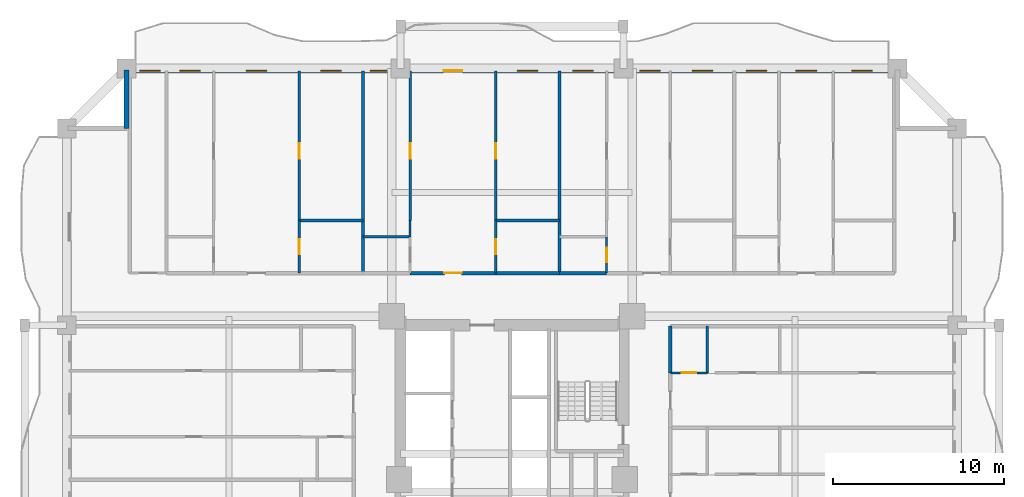
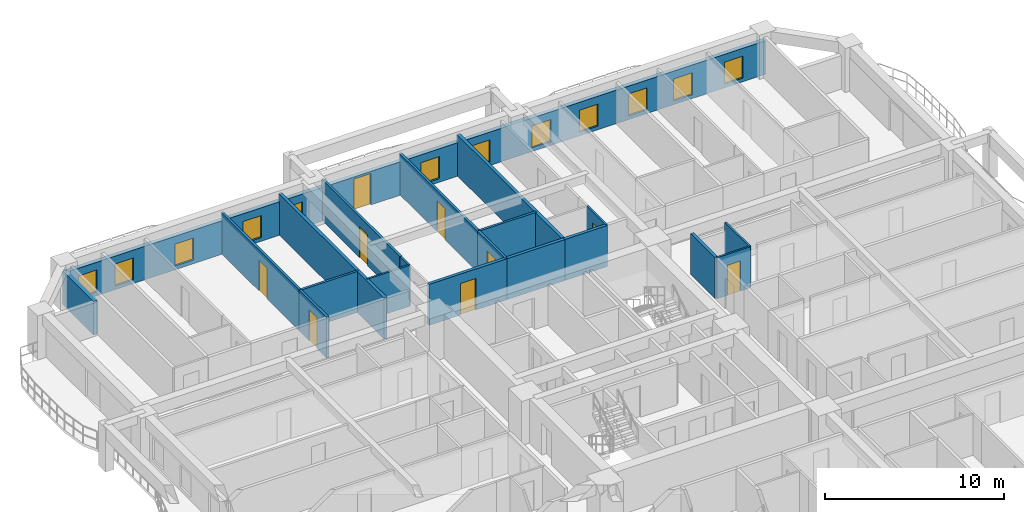
# One storey, part 7 of 18: 20 walls, 12 windows, 9 doors, 21 openings.
"""IFC4 building model written with IfcOpenShell, lengths in metres."""

from ifc_helpers import new_model, si_unit, direction, frame, frame_2d, origin, place, context, subcontext, project, spatial, rectangle, extrude, source, transform, mapped, material, layer, layer_set, type_object, element, fill, save


model = new_model("IFC4")

# Units and contexts
model_context = context("Model", 3, precision=1e-05, world=origin(), true_north=direction((0.0, 1.0)))
body_context = subcontext(model_context, "Body", "Model", "MODEL_VIEW")
ifc_project = project(units=[si_unit("LENGTHUNIT", "METRE"), si_unit("AREAUNIT", "SQUARE_METRE"), si_unit("VOLUMEUNIT", "CUBIC_METRE"), si_unit("PLANEANGLEUNIT", "RADIAN"), si_unit("MASSUNIT", "GRAM", prefix="KILO")], contexts=[model_context])

# Site, building, storey
site_placement = place(None, origin())
site = spatial("IfcSite", under=ifc_project, at=site_placement, CompositionType="ELEMENT")
building_placement = place(site_placement, origin())
building = spatial("IfcBuilding", under=site, at=building_placement, Name="Saelheon Loggia Tower", CompositionType="ELEMENT")
storey_placement = place(building_placement, frame((0.0, 0.0, 40.39990234375)))
storey = spatial("IfcBuildingStorey", under=building, at=storey_placement, Name="L12", CompositionType="ELEMENT", Elevation=40.39990234375)

# Wall, openings, windows, door
ifc_material_1 = material(Name="Architectural Precast Concrete C40/50", Category="concrete")
ifc_layer_1 = layer(ifc_material_1, 0.280029296875)
ifc_layer_set_1 = layer_set([ifc_layer_1], Name="Architectural Precast Concrete C40/50")
wall_type_1 = type_object("IfcWallType", Name="Wall_Ext_Loggia_280", PredefinedType="SOLIDWALL", material=ifc_layer_set_1)
wall_1_placement = place(storey_placement, frame((15.5, 50.860107421875, 0.0), z_axis=(0.0, 0.0, 1.0), x_axis=(1.0, 0.0, 0.0)))
wall_1 = element("IfcWall", 1, at=wall_1_placement, inside=storey, type_object=wall_type_1, Name="L12 North Loggia Inner Wall", PredefinedType="SOLIDWALL", context=body_context, shape_type="SweptSolid", body=[
    extrude(rectangle(XDim=45.0, YDim=0.280029296875, at=frame_2d((22.5, 0.0))), origin(), (0.0, 0.0, 1.0), 2.280029296875),
])
opening_1_placement = place(wall_1_placement, frame((0.760009765625, 0.0, 0.25)))
opening_1 = element("IfcOpeningElement", 2, at=opening_1_placement, cuts=wall_1, Name="Opening WN-03", PredefinedType="OPENING", context=body_context, shape_type="SweptSolid", body=[
    extrude(rectangle(XDim=1.199951171875, YDim=1.5, at=frame_2d((0.60009765625, 0.75))), frame((0.0, 0.152099609375, 0.0), z_axis=(0.0, -1.0, 0.0), x_axis=(1.0, 0.0, 0.0)), (0.0, 0.0, 1.0), 0.303955078125),
])
opening_2_placement = place(wall_1_placement, frame((3.10498046875, 0.0, 0.25)))
opening_2 = element("IfcOpeningElement", 3, at=opening_2_placement, cuts=wall_1, Name="Opening WN-03", PredefinedType="OPENING", context=body_context, shape_type="SweptSolid", body=[
    extrude(rectangle(XDim=1.199951171875, YDim=1.5, at=frame_2d((0.60009765625, 0.75))), frame((0.0, 0.152099609375, 0.0), z_axis=(0.0, -1.0, 0.0), x_axis=(1.0, 0.0, 0.0)), (0.0, 0.0, 1.0), 0.303955078125),
])
opening_3_placement = place(wall_1_placement, frame((6.979736328125, 0.0, 0.25)))
opening_3 = element("IfcOpeningElement", 4, at=opening_3_placement, cuts=wall_1, Name="Opening WN-03", PredefinedType="OPENING", context=body_context, shape_type="SweptSolid", body=[
    extrude(rectangle(XDim=1.199951171875, YDim=1.5, at=frame_2d((0.60009765625, 0.75))), frame((0.0, 0.152099609375, 0.0), z_axis=(0.0, -1.0, 0.0), x_axis=(1.0, 0.0, 0.0)), (0.0, 0.0, 1.0), 0.303955078125),
])
opening_4_placement = place(wall_1_placement, frame((11.3408203125, 0.0, 0.25)))
opening_4 = element("IfcOpeningElement", 5, at=opening_4_placement, cuts=wall_1, Name="Opening WN-03", PredefinedType="OPENING", context=body_context, shape_type="SweptSolid", body=[
    extrude(rectangle(XDim=1.199951171875, YDim=1.5, at=frame_2d((0.60009765625, 0.75))), frame((0.0, 0.152099609375, 0.0), z_axis=(0.0, -1.0, 0.0), x_axis=(1.0, 0.0, 0.0)), (0.0, 0.0, 1.0), 0.303955078125),
])
opening_5_placement = place(wall_1_placement, frame((14.231201171875, 0.0, 0.25)))
opening_5 = element("IfcOpeningElement", 6, at=opening_5_placement, cuts=wall_1, Name="Opening WN-04", PredefinedType="OPENING", context=body_context, shape_type="SweptSolid", body=[
    extrude(rectangle(XDim=0.949951171875, YDim=1.5, at=frame_2d((0.47509765625, 0.75))), frame((0.0, 0.152099609375, 0.0), z_axis=(0.0, -1.0, 0.0), x_axis=(1.0, 0.0, 0.0)), (0.0, 0.0, 1.0), 0.303955078125),
])
opening_6_placement = place(wall_1_placement, frame((18.502197265625, 0.0, 0.0)))
opening_6 = element("IfcOpeningElement", 7, at=opening_6_placement, cuts=wall_1, Name="Opening TD1", PredefinedType="OPENING", context=body_context, shape_type="SweptSolid", body=[
    extrude(rectangle(XDim=1.10009765625, YDim=2.14990234375, at=frame_2d((0.550048828125, 1.074951171875))), frame((0.0, 0.152099609375, 0.0), z_axis=(0.0, -1.0, 0.0), x_axis=(1.0, 0.0, 0.0)), (0.0, 0.0, 1.0), 0.303955078125),
])
opening_7_placement = place(wall_1_placement, frame((22.813232421875, 0.0, 0.25)))
opening_7 = element("IfcOpeningElement", 8, at=opening_7_placement, cuts=wall_1, Name="Opening WN-03", PredefinedType="OPENING", context=body_context, shape_type="SweptSolid", body=[
    extrude(rectangle(XDim=1.199951171875, YDim=1.5, at=frame_2d((0.60009765625, 0.75))), frame((0.0, 0.152099609375, 0.0), z_axis=(0.0, -1.0, 0.0), x_axis=(1.0, 0.0, 0.0)), (0.0, 0.0, 1.0), 0.303955078125),
])
opening_8_placement = place(wall_1_placement, frame((26.049560546875, 0.0, 0.25)))
opening_8 = element("IfcOpeningElement", 9, at=opening_8_placement, cuts=wall_1, Name="Opening WN-03", PredefinedType="OPENING", context=body_context, shape_type="SweptSolid", body=[
    extrude(rectangle(XDim=1.199951171875, YDim=1.5, at=frame_2d((0.60009765625, 0.75))), frame((0.0, 0.152099609375, 0.0), z_axis=(0.0, -1.0, 0.0), x_axis=(1.0, 0.0, 0.0)), (0.0, 0.0, 1.0), 0.303955078125),
])
opening_9_placement = place(wall_1_placement, frame((29.9697265625, 0.0, 0.25)))
opening_9 = element("IfcOpeningElement", 10, at=opening_9_placement, cuts=wall_1, Name="Opening WN-03", PredefinedType="OPENING", context=body_context, shape_type="SweptSolid", body=[
    extrude(rectangle(XDim=1.199951171875, YDim=1.5, at=frame_2d((0.60009765625, 0.75))), frame((0.0, 0.152099609375, 0.0), z_axis=(0.0, -1.0, 0.0), x_axis=(1.0, 0.0, 0.0)), (0.0, 0.0, 1.0), 0.303955078125),
])
opening_10_placement = place(wall_1_placement, frame((33.0107421875, 0.0, 0.25)))
opening_10 = element("IfcOpeningElement", 11, at=opening_10_placement, cuts=wall_1, Name="Opening WN-03", PredefinedType="OPENING", context=body_context, shape_type="SweptSolid", body=[
    extrude(rectangle(XDim=1.199951171875, YDim=1.5, at=frame_2d((0.60009765625, 0.75))), frame((0.0, 0.152099609375, 0.0), z_axis=(0.0, -1.0, 0.0), x_axis=(1.0, 0.0, 0.0)), (0.0, 0.0, 1.0), 0.303955078125),
])
opening_11_placement = place(wall_1_placement, frame((36.180908203125, 0.0, 0.25)))
opening_11 = element("IfcOpeningElement", 12, at=opening_11_placement, cuts=wall_1, Name="Opening WN-03", PredefinedType="OPENING", context=body_context, shape_type="SweptSolid", body=[
    extrude(rectangle(XDim=1.199951171875, YDim=1.5, at=frame_2d((0.60009765625, 0.75))), frame((0.0, 0.152099609375, 0.0), z_axis=(0.0, -1.0, 0.0), x_axis=(1.0, 0.0, 0.0)), (0.0, 0.0, 1.0), 0.303955078125),
])
opening_12_placement = place(wall_1_placement, frame((39.07861328125, 0.0, 0.25)))
opening_12 = element("IfcOpeningElement", 13, at=opening_12_placement, cuts=wall_1, Name="Opening WN-03", PredefinedType="OPENING", context=body_context, shape_type="SweptSolid", body=[
    extrude(rectangle(XDim=1.199951171875, YDim=1.5, at=frame_2d((0.60009765625, 0.75))), frame((0.0, 0.152099609375, 0.0), z_axis=(0.0, -1.0, 0.0), x_axis=(1.0, 0.0, 0.0)), (0.0, 0.0, 1.0), 0.303955078125),
])
opening_13_placement = place(wall_1_placement, frame((42.3388671875, 0.0, 0.25)))
opening_13 = element("IfcOpeningElement", 14, at=opening_13_placement, cuts=wall_1, Name="Opening WN-03", PredefinedType="OPENING", context=body_context, shape_type="SweptSolid", body=[
    extrude(rectangle(XDim=1.199951171875, YDim=1.5, at=frame_2d((0.60009765625, 0.75))), frame((0.0, 0.152099609375, 0.0), z_axis=(0.0, -1.0, 0.0), x_axis=(1.0, 0.0, 0.0)), (0.0, 0.0, 1.0), 0.303955078125),
])
ifc_material_2 = material(Name="Thermal-Break Aluminium and Triple Low-E Glass", Category="aluminium")
window_type_1 = type_object("IfcWindowType", Name="Win_Bedroom_1200x1500", PartitioningType="SINGLE_PANEL", PredefinedType="WINDOW", material=ifc_material_2)
shared_shape_1 = source(origin(), body_context, "Body", "SweptSolid", [
    extrude(rectangle(XDim=1.199951171875, YDim=1.5, at=frame_2d((0.60009765625, 0.75))), frame((0.0, 0.030029296875, 0.0), z_axis=(0.0, -1.0, 0.0), x_axis=(1.0, 0.0, 0.0)), (0.0, 0.0, 1.0), 0.06005859375),
])
window_1_placement = place(opening_1_placement, origin())
window_1 = element("IfcWindow", 15, at=window_1_placement, inside=storey, type_object=window_type_1, Name="L12 N Dwelling Window 1", OverallHeight=1.5, OverallWidth=1.199951171875, PartitioningType="SINGLE_PANEL", PredefinedType="WINDOW", context=body_context, shape_type="MappedRepresentation", body=[
    mapped(shared_shape_1, transform((0.0, 0.0, 0.0), scale=1.0)),
])
fill(opening_1, window_1)
window_2_placement = place(opening_2_placement, origin())
window_2 = element("IfcWindow", 16, at=window_2_placement, inside=storey, type_object=window_type_1, Name="L12 N Dwelling Window 2", OverallHeight=1.5, OverallWidth=1.199951171875, PartitioningType="SINGLE_PANEL", PredefinedType="WINDOW", context=body_context, shape_type="MappedRepresentation", body=[
    mapped(shared_shape_1, transform((0.0, 0.0, 0.0), scale=1.0)),
])
fill(opening_2, window_2)
window_3_placement = place(opening_3_placement, origin())
window_3 = element("IfcWindow", 17, at=window_3_placement, inside=storey, type_object=window_type_1, Name="L12 N Dwelling Window 3", OverallHeight=1.5, OverallWidth=1.199951171875, PartitioningType="SINGLE_PANEL", PredefinedType="WINDOW", context=body_context, shape_type="MappedRepresentation", body=[
    mapped(shared_shape_1, transform((0.0, 0.0, 0.0), scale=1.0)),
])
fill(opening_3, window_3)
window_4_placement = place(opening_4_placement, origin())
window_4 = element("IfcWindow", 18, at=window_4_placement, inside=storey, type_object=window_type_1, Name="L12 N Dwelling Window 4", OverallHeight=1.5, OverallWidth=1.199951171875, PartitioningType="SINGLE_PANEL", PredefinedType="WINDOW", context=body_context, shape_type="MappedRepresentation", body=[
    mapped(shared_shape_1, transform((0.0, 0.0, 0.0), scale=1.0)),
])
fill(opening_4, window_4)
window_5_placement = place(opening_7_placement, origin())
window_5 = element("IfcWindow", 19, at=window_5_placement, inside=storey, type_object=window_type_1, Name="L12 N Dwelling Window 7", OverallHeight=1.5, OverallWidth=1.199951171875, PartitioningType="SINGLE_PANEL", PredefinedType="WINDOW", context=body_context, shape_type="MappedRepresentation", body=[
    mapped(shared_shape_1, transform((0.0, 0.0, 0.0), scale=1.0)),
])
fill(opening_7, window_5)
window_6_placement = place(opening_8_placement, origin())
window_6 = element("IfcWindow", 20, at=window_6_placement, inside=storey, type_object=window_type_1, Name="L12 N Dwelling Window 8", OverallHeight=1.5, OverallWidth=1.199951171875, PartitioningType="SINGLE_PANEL", PredefinedType="WINDOW", context=body_context, shape_type="MappedRepresentation", body=[
    mapped(shared_shape_1, transform((0.0, 0.0, 0.0), scale=1.0)),
])
fill(opening_8, window_6)
window_7_placement = place(opening_9_placement, origin())
window_7 = element("IfcWindow", 21, at=window_7_placement, inside=storey, type_object=window_type_1, Name="L12 N Dwelling Window 9", OverallHeight=1.5, OverallWidth=1.199951171875, PartitioningType="SINGLE_PANEL", PredefinedType="WINDOW", context=body_context, shape_type="MappedRepresentation", body=[
    mapped(shared_shape_1, transform((0.0, 0.0, 0.0), scale=1.0)),
])
fill(opening_9, window_7)
window_8_placement = place(opening_10_placement, origin())
window_8 = element("IfcWindow", 22, at=window_8_placement, inside=storey, type_object=window_type_1, Name="L12 N Dwelling Window 10", OverallHeight=1.5, OverallWidth=1.199951171875, PartitioningType="SINGLE_PANEL", PredefinedType="WINDOW", context=body_context, shape_type="MappedRepresentation", body=[
    mapped(shared_shape_1, transform((0.0, 0.0, 0.0), scale=1.0)),
])
fill(opening_10, window_8)
window_9_placement = place(opening_11_placement, origin())
window_9 = element("IfcWindow", 23, at=window_9_placement, inside=storey, type_object=window_type_1, Name="L12 N Dwelling Window 11", OverallHeight=1.5, OverallWidth=1.199951171875, PartitioningType="SINGLE_PANEL", PredefinedType="WINDOW", context=body_context, shape_type="MappedRepresentation", body=[
    mapped(shared_shape_1, transform((0.0, 0.0, 0.0), scale=1.0)),
])
fill(opening_11, window_9)
window_10_placement = place(opening_12_placement, origin())
window_10 = element("IfcWindow", 24, at=window_10_placement, inside=storey, type_object=window_type_1, Name="L12 N Dwelling Window 12", OverallHeight=1.5, OverallWidth=1.199951171875, PartitioningType="SINGLE_PANEL", PredefinedType="WINDOW", context=body_context, shape_type="MappedRepresentation", body=[
    mapped(shared_shape_1, transform((0.0, 0.0, 0.0), scale=1.0)),
])
fill(opening_12, window_10)
window_11_placement = place(opening_13_placement, origin())
window_11 = element("IfcWindow", 25, at=window_11_placement, inside=storey, type_object=window_type_1, Name="L12 N Dwelling Window 13", OverallHeight=1.5, OverallWidth=1.199951171875, PartitioningType="SINGLE_PANEL", PredefinedType="WINDOW", context=body_context, shape_type="MappedRepresentation", body=[
    mapped(shared_shape_1, transform((0.0, 0.0, 0.0), scale=1.0)),
])
fill(opening_13, window_11)
ifc_material_3 = material(Name="Thermal-Break Aluminium Glazed Door", Category="aluminium")
door_type_1 = type_object("IfcDoorType", Name="Door_Terrace_TD1", OperationType="NOTDEFINED", PredefinedType="DOOR", material=ifc_material_3)
shared_shape_2 = source(origin(), body_context, "Body", "SweptSolid", [
    extrude(rectangle(XDim=1.10009765625, YDim=2.14990234375, at=frame_2d((0.550048828125, 1.074951171875))), frame((0.0, 0.02490234375, 0.0), z_axis=(0.0, -1.0, 0.0), x_axis=(1.0, 0.0, 0.0)), (0.0, 0.0, 1.0), 0.050048828125),
])
door_1_placement = place(opening_6_placement, origin())
door_1 = element("IfcDoor", 26, at=door_1_placement, inside=storey, type_object=door_type_1, Name="L12 N Loggia Access Door", OperationType="SINGLE_SWING_RIGHT", OverallHeight=2.14990234375, OverallWidth=1.10009765625, PredefinedType="DOOR", context=body_context, shape_type="MappedRepresentation", body=[
    mapped(shared_shape_2, transform((0.0, 0.0, 0.0), scale=1.0)),
])
fill(opening_6, door_1)
window_type_2 = type_object("IfcWindowType", Name="Win_Narrow_950x1500", PartitioningType="SINGLE_PANEL", PredefinedType="WINDOW", material=ifc_material_2)
shared_shape_3 = source(origin(), body_context, "Body", "SweptSolid", [
    extrude(rectangle(XDim=0.949951171875, YDim=1.5, at=frame_2d((0.47509765625, 0.75))), frame((0.0, 0.030029296875, 0.0), z_axis=(0.0, -1.0, 0.0), x_axis=(1.0, 0.0, 0.0)), (0.0, 0.0, 1.0), 0.06005859375),
])
window_12_placement = place(opening_5_placement, origin())
window_12 = element("IfcWindow", 27, at=window_12_placement, inside=storey, type_object=window_type_2, Name="L12 N Dwelling Window 5", OverallHeight=1.5, OverallWidth=0.949951171875, PartitioningType="SINGLE_PANEL", PredefinedType="WINDOW", context=body_context, shape_type="MappedRepresentation", body=[
    mapped(shared_shape_3, transform((0.0, 0.0, 0.0), scale=1.0)),
])
fill(opening_5, window_12)

# Walls
wall_2_placement = place(storey_placement, frame((15.5, 47.5, 0.0), z_axis=(0.0, 0.0, 1.0), x_axis=(0.0, 1.0, 0.0)))
element("IfcWall", 28, at=wall_2_placement, inside=storey, type_object=wall_type_1, Name="L12 Corner Notch Precast Wall NW1", PredefinedType="SOLIDWALL", context=body_context, shape_type="SweptSolid", body=[
    extrude(rectangle(XDim=3.419921875, YDim=0.280029296875, at=frame_2d((1.7099609375, 0.0))), origin(), (0.0, 0.0, 1.0), 2.280029296875),
])
ifc_material_4 = material(Name="Lightweight Autoclaved Aerated Concrete Block and Acoustic Gypsum", Category="concrete")
ifc_layer_2 = layer(ifc_material_4, 0.14990234375)
ifc_layer_set_2 = layer_set([ifc_layer_2], Name="Lightweight Autoclaved Aerated Concrete Block and Acoustic Gypsum")
wall_type_2 = type_object("IfcWallType", Name="Wall_Part_150", PredefinedType="PARTITIONING", material=ifc_layer_set_2)
wall_3_placement = place(storey_placement, frame((25.57958984375, 42.1201171875, 0.0), z_axis=(0.0, 0.0, 1.0), x_axis=(1.0, 0.0, 0.0)))
element("IfcWall", 29, at=wall_3_placement, inside=storey, type_object=wall_type_2, Name="L12 N Partition V09", PredefinedType="PARTITIONING", context=body_context, shape_type="SweptSolid", body=[
    extrude(rectangle(XDim=3.72265625, YDim=0.14990234375, at=frame_2d((1.861328125, 0.0))), origin(), (0.0, 0.0, 1.0), 2.7900390625),
])

# Wall, opening, door
wall_4_placement = place(storey_placement, frame((25.57958984375, 39.050048828125, 0.0), z_axis=(0.0, 0.0, 1.0), x_axis=(0.0, 1.0, 0.0)))
wall_4 = element("IfcWall", 30, at=wall_4_placement, inside=storey, type_object=wall_type_2, Name="L12 N Partition U13", PredefinedType="PARTITIONING", context=body_context, shape_type="SweptSolid", body=[
    extrude(rectangle(XDim=3.070068359375, YDim=0.14990234375, at=frame_2d((1.53515625, 0.0))), origin(), (0.0, 0.0, 1.0), 2.7900390625),
])
opening_14_placement = place(wall_4_placement, frame((1.0849609375, 0.0, 0.0)))
opening_14 = element("IfcOpeningElement", 31, at=opening_14_placement, cuts=wall_4, Name="Opening D-IN2", PredefinedType="OPENING", context=body_context, shape_type="SweptSolid", body=[
    extrude(rectangle(XDim=0.89990234375, YDim=2.10009765625, at=frame_2d((0.449951171875, 1.050048828125))), frame((0.0, 0.0869140625, 0.0), z_axis=(0.0, -1.0, 0.0), x_axis=(1.0, 0.0, 0.0)), (0.0, 0.0, 1.0), 0.173828125),
])
ifc_material_5 = material(Name="Engineered Oak Flush Door", Category="timber")
door_type_2 = type_object("IfcDoorType", Name="Door_Int_900", OperationType="NOTDEFINED", PredefinedType="DOOR", material=ifc_material_5)
shared_shape_4 = source(origin(), body_context, "Body", "SweptSolid", [
    extrude(rectangle(XDim=0.89990234375, YDim=2.10009765625, at=frame_2d((0.449951171875, 1.050048828125))), frame((0.0, 0.02490234375, 0.0), z_axis=(0.0, -1.0, 0.0), x_axis=(1.0, 0.0, 0.0)), (0.0, 0.0, 1.0), 0.050048828125),
])
door_2_placement = place(opening_14_placement, origin())
door_2 = element("IfcDoor", 32, at=door_2_placement, inside=storey, type_object=door_type_2, Name="Unit U05 Dressing Closet Door", OperationType="SINGLE_SWING_LEFT", OverallHeight=2.10009765625, OverallWidth=0.89990234375, PredefinedType="DOOR", context=body_context, shape_type="MappedRepresentation", body=[
    mapped(shared_shape_4, transform((0.0, 0.0, 0.0), scale=1.0)),
])
fill(opening_14, door_2)

wall_5_placement = place(storey_placement, frame((25.57958984375, 42.1201171875, 0.0), z_axis=(0.0, 0.0, 1.0), x_axis=(0.0, 1.0, 0.0)))
wall_5 = element("IfcWall", 33, at=wall_5_placement, inside=storey, type_object=wall_type_2, Name="L12 N Partition U14", PredefinedType="PARTITIONING", context=body_context, shape_type="SweptSolid", body=[
    extrude(rectangle(XDim=8.72998046875, YDim=0.14990234375, at=frame_2d((4.364990234375, 0.0))), origin(), (0.0, 0.0, 1.0), 2.7900390625),
])
opening_15_placement = place(wall_5_placement, frame((3.60888671875, 0.0, 0.0)))
opening_15 = element("IfcOpeningElement", 34, at=opening_15_placement, cuts=wall_5, Name="Opening D-IN2", PredefinedType="OPENING", context=body_context, shape_type="SweptSolid", body=[
    extrude(rectangle(XDim=0.89990234375, YDim=2.10009765625, at=frame_2d((0.449951171875, 1.050048828125))), frame((0.0, 0.0869140625, 0.0), z_axis=(0.0, -1.0, 0.0), x_axis=(1.0, 0.0, 0.0)), (0.0, 0.0, 1.0), 0.173828125),
])
door_3_placement = place(opening_15_placement, origin())
door_3 = element("IfcDoor", 35, at=door_3_placement, inside=storey, type_object=door_type_2, Name="Unit U05 Bedroom 1 Door", OperationType="SINGLE_SWING_RIGHT", OverallHeight=2.10009765625, OverallWidth=0.89990234375, PredefinedType="DOOR", context=body_context, shape_type="MappedRepresentation", body=[
    mapped(shared_shape_4, transform((0.0, 0.0, 0.0), scale=1.0)),
])
fill(opening_15, door_3)

# Wall
wall_6_placement = place(storey_placement, frame((37.0517578125, 42.1201171875, 0.0), z_axis=(0.0, 0.0, 1.0), x_axis=(1.0, 0.0, 0.0)))
element("IfcWall", 36, at=wall_6_placement, inside=storey, type_object=wall_type_2, Name="L12 N Partition V20", PredefinedType="PARTITIONING", context=body_context, shape_type="SweptSolid", body=[
    extrude(rectangle(XDim=3.722900390625, YDim=0.14990234375, at=frame_2d((1.861328125, 0.0))), origin(), (0.0, 0.0, 1.0), 2.7900390625),
])

# Wall, opening, door
wall_7_placement = place(storey_placement, frame((32.05224609375, 42.1201171875, 0.0), z_axis=(0.0, 0.0, 1.0), x_axis=(0.0, 1.0, 0.0)))
wall_7 = element("IfcWall", 37, at=wall_7_placement, inside=storey, type_object=wall_type_2, Name="L12 N Partition U23", PredefinedType="PARTITIONING", context=body_context, shape_type="SweptSolid", body=[
    extrude(rectangle(XDim=8.72998046875, YDim=0.14990234375, at=frame_2d((4.364990234375, 0.0))), origin(), (0.0, 0.0, 1.0), 2.7900390625),
])
opening_16_placement = place(wall_7_placement, frame((3.60888671875, 0.0, 0.0)))
opening_16 = element("IfcOpeningElement", 38, at=opening_16_placement, cuts=wall_7, Name="Opening D-IN2", PredefinedType="OPENING", context=body_context, shape_type="SweptSolid", body=[
    extrude(rectangle(XDim=0.89990234375, YDim=2.10009765625, at=frame_2d((0.449951171875, 1.050048828125))), frame((0.0, 0.0869140625, 0.0), z_axis=(0.0, -1.0, 0.0), x_axis=(1.0, 0.0, 0.0)), (0.0, 0.0, 1.0), 0.173828125),
])
door_4_placement = place(opening_16_placement, origin())
door_4 = element("IfcDoor", 39, at=door_4_placement, inside=storey, type_object=door_type_2, Name="Unit U06 Kitchen Door", OperationType="SINGLE_SWING_LEFT", OverallHeight=2.10009765625, OverallWidth=0.89990234375, PredefinedType="DOOR", context=body_context, shape_type="MappedRepresentation", body=[
    mapped(shared_shape_4, transform((0.0, 0.0, 0.0), scale=1.0)),
])
fill(opening_16, door_4)

wall_8_placement = place(storey_placement, frame((37.0517578125, 39.050048828125, 0.0), z_axis=(0.0, 0.0, 1.0), x_axis=(0.0, 1.0, 0.0)))
wall_8 = element("IfcWall", 40, at=wall_8_placement, inside=storey, type_object=wall_type_2, Name="L12 N Partition U24", PredefinedType="PARTITIONING", context=body_context, shape_type="SweptSolid", body=[
    extrude(rectangle(XDim=3.070068359375, YDim=0.14990234375, at=frame_2d((1.53515625, 0.0))), origin(), (0.0, 0.0, 1.0), 2.7900390625),
])
opening_17_placement = place(wall_8_placement, frame((1.0849609375, 0.0, 0.0)))
opening_17 = element("IfcOpeningElement", 41, at=opening_17_placement, cuts=wall_8, Name="Opening D-IN2", PredefinedType="OPENING", context=body_context, shape_type="SweptSolid", body=[
    extrude(rectangle(XDim=0.89990234375, YDim=2.10009765625, at=frame_2d((0.449951171875, 1.050048828125))), frame((0.0, 0.0869140625, 0.0), z_axis=(0.0, -1.0, 0.0), x_axis=(1.0, 0.0, 0.0)), (0.0, 0.0, 1.0), 0.173828125),
])
door_5_placement = place(opening_17_placement, origin())
door_5 = element("IfcDoor", 42, at=door_5_placement, inside=storey, type_object=door_type_2, Name="Unit U06 Dressing Closet Door", OperationType="SINGLE_SWING_RIGHT", OverallHeight=2.10009765625, OverallWidth=0.89990234375, PredefinedType="DOOR", context=body_context, shape_type="MappedRepresentation", body=[
    mapped(shared_shape_4, transform((0.0, 0.0, 0.0), scale=1.0)),
])
fill(opening_17, door_5)

wall_9_placement = place(storey_placement, frame((37.0517578125, 42.1201171875, 0.0), z_axis=(0.0, 0.0, 1.0), x_axis=(0.0, 1.0, 0.0)))
wall_9 = element("IfcWall", 43, at=wall_9_placement, inside=storey, type_object=wall_type_2, Name="L12 N Partition U25", PredefinedType="PARTITIONING", context=body_context, shape_type="SweptSolid", body=[
    extrude(rectangle(XDim=8.72998046875, YDim=0.14990234375, at=frame_2d((4.364990234375, 0.0))), origin(), (0.0, 0.0, 1.0), 2.7900390625),
])
opening_18_placement = place(wall_9_placement, frame((3.60888671875, 0.0, 0.0)))
opening_18 = element("IfcOpeningElement", 44, at=opening_18_placement, cuts=wall_9, Name="Opening D-IN2", PredefinedType="OPENING", context=body_context, shape_type="SweptSolid", body=[
    extrude(rectangle(XDim=0.89990234375, YDim=2.10009765625, at=frame_2d((0.449951171875, 1.050048828125))), frame((0.0, 0.0869140625, 0.0), z_axis=(0.0, -1.0, 0.0), x_axis=(1.0, 0.0, 0.0)), (0.0, 0.0, 1.0), 0.173828125),
])
door_6_placement = place(opening_18_placement, origin())
door_6 = element("IfcDoor", 45, at=door_6_placement, inside=storey, type_object=door_type_2, Name="Unit U06 Bedroom 1 Door", OperationType="SINGLE_SWING_LEFT", OverallHeight=2.10009765625, OverallWidth=0.89990234375, PredefinedType="DOOR", context=body_context, shape_type="MappedRepresentation", body=[
    mapped(shared_shape_4, transform((0.0, 0.0, 0.0), scale=1.0)),
])
fill(opening_18, door_6)

# Wall
ifc_material_6 = material(Name="Double Acoustic Stud and Fireboard Partition", Category="gypsum")
ifc_layer_3 = layer(ifc_material_6, 0.199951171875)
ifc_layer_set_3 = layer_set([ifc_layer_3], Name="Double Acoustic Stud and Fireboard Partition")
wall_type_3 = type_object("IfcWallType", Name="Wall_Party_200", PredefinedType="PARTITIONING", material=ifc_layer_set_3)
wall_10_placement = place(storey_placement, frame((29.30224609375, 39.050048828125, 0.0), z_axis=(0.0, 0.0, 1.0), x_axis=(0.0, 1.0, 0.0)))
element("IfcWall", 46, at=wall_10_placement, inside=storey, type_object=wall_type_3, Name="L12 N Partition U15", PredefinedType="PARTITIONING", context=body_context, shape_type="SweptSolid", body=[
    extrude(rectangle(XDim=11.800048828125, YDim=0.199951171875, at=frame_2d((5.89990234375, 0.0))), origin(), (0.0, 0.0, 1.0), 2.7900390625),
])

# Wall, opening, door
wall_11_placement = place(storey_placement, frame((32.05224609375, 39.050048828125, 0.0), z_axis=(0.0, 0.0, 1.0), x_axis=(1.0, 0.0, 0.0)))
wall_11 = element("IfcWall", 47, at=wall_11_placement, inside=storey, type_object=wall_type_3, Name="L12 N Partition V17", PredefinedType="PARTITIONING", context=body_context, shape_type="SweptSolid", body=[
    extrude(rectangle(XDim=4.99951171875, YDim=0.199951171875, at=frame_2d((2.499755859375, 0.0))), origin(), (0.0, 0.0, 1.0), 2.7900390625),
])
opening_19_placement = place(wall_11_placement, frame((1.999755859375, 0.0, 0.0)))
opening_19 = element("IfcOpeningElement", 48, at=opening_19_placement, cuts=wall_11, Name="Opening D-FD1", PredefinedType="OPENING", context=body_context, shape_type="SweptSolid", body=[
    extrude(rectangle(XDim=1.0, YDim=2.14990234375, at=frame_2d((0.5, 1.074951171875))), frame((0.0, 0.112060546875, 0.0), z_axis=(0.0, -1.0, 0.0), x_axis=(1.0, 0.0, 0.0)), (0.0, 0.0, 1.0), 0.223876953125),
])
ifc_material_7 = material(Name="Fire-Rated Engineered Timber Entrance Door", Category="wood")
door_type_3 = type_object("IfcDoorType", Name="Door_Flat_FD30S", OperationType="NOTDEFINED", PredefinedType="DOOR", material=ifc_material_7)
shared_shape_5 = source(origin(), body_context, "Body", "SweptSolid", [
    extrude(rectangle(XDim=1.0, YDim=2.14990234375, at=frame_2d((0.5, 1.074951171875))), frame((0.0, 0.02490234375, 0.0), z_axis=(0.0, -1.0, 0.0), x_axis=(1.0, 0.0, 0.0)), (0.0, 0.0, 1.0), 0.050048828125),
])
door_7_placement = place(opening_19_placement, origin())
door_7 = element("IfcDoor", 49, at=door_7_placement, inside=storey, type_object=door_type_3, Name="Unit U06 Entrance Door", OperationType="SINGLE_SWING_LEFT", OverallHeight=2.14990234375, OverallWidth=1.0, PredefinedType="DOOR", context=body_context, shape_type="MappedRepresentation", body=[
    mapped(shared_shape_5, transform((0.0, 0.0, 0.0), scale=1.0)),
])
fill(opening_19, door_7)

# Walls
wall_12_placement = place(storey_placement, frame((37.0517578125, 39.050048828125, 0.0), z_axis=(0.0, 0.0, 1.0), x_axis=(1.0, 0.0, 0.0)))
element("IfcWall", 50, at=wall_12_placement, inside=storey, type_object=wall_type_3, Name="L12 N Partition V18", PredefinedType="PARTITIONING", context=body_context, shape_type="SweptSolid", body=[
    extrude(rectangle(XDim=3.722900390625, YDim=0.199951171875, at=frame_2d((1.861328125, 0.0))), origin(), (0.0, 0.0, 1.0), 2.7900390625),
])
wall_13_placement = place(storey_placement, frame((40.774658203125, 39.050048828125, 0.0), z_axis=(0.0, 0.0, 1.0), x_axis=(0.0, 1.0, 0.0)))
element("IfcWall", 51, at=wall_13_placement, inside=storey, type_object=wall_type_3, Name="L12 N Partition U26", PredefinedType="PARTITIONING", context=body_context, shape_type="SweptSolid", body=[
    extrude(rectangle(XDim=11.800048828125, YDim=0.199951171875, at=frame_2d((5.89990234375, 0.0))), origin(), (0.0, 0.0, 1.0), 2.7900390625),
])
wall_14_placement = place(storey_placement, frame((40.774658203125, 39.050048828125, 0.0), z_axis=(0.0, 0.0, 1.0), x_axis=(1.0, 0.0, 0.0)))
element("IfcWall", 52, at=wall_14_placement, inside=storey, type_object=wall_type_3, Name="L12 N Partition V27", PredefinedType="PARTITIONING", context=body_context, shape_type="SweptSolid", body=[
    extrude(rectangle(XDim=2.75, YDim=0.199951171875, at=frame_2d((1.375, 0.0))), origin(), (0.0, 0.0, 1.0), 2.7900390625),
])
wall_15_placement = place(storey_placement, frame((47.25, 33.22509765625, 0.0), z_axis=(0.0, 0.0, 1.0), x_axis=(0.0, 1.0, 0.0)))
element("IfcWall", 53, at=wall_15_placement, inside=storey, type_object=wall_type_3, Name="L12 E Partition V20", PredefinedType="PARTITIONING", context=body_context, shape_type="SweptSolid", body=[
    extrude(rectangle(XDim=2.724853515625, YDim=0.199951171875, at=frame_2d((1.3623046875, 0.0))), origin(), (0.0, 0.0, 1.0), 2.7900390625),
])
ifc_material_8 = material(Name="Moisture-Resistant Cement Board Partition", Category="gypsum")
ifc_layer_4 = layer(ifc_material_8, 0.1201171875)
ifc_layer_set_4 = layer_set([ifc_layer_4], Name="Moisture-Resistant Cement Board Partition")
wall_type_4 = type_object("IfcWallType", Name="Wall_WetPart_120", PredefinedType="PARTITIONING", material=ifc_layer_set_4)
wall_16_placement = place(storey_placement, frame((29.30224609375, 41.169921875, 0.0), z_axis=(0.0, 0.0, 1.0), x_axis=(1.0, 0.0, 0.0)))
element("IfcWall", 54, at=wall_16_placement, inside=storey, type_object=wall_type_4, Name="L12 N Partition V19", PredefinedType="PARTITIONING", context=body_context, shape_type="SweptSolid", body=[
    extrude(rectangle(XDim=2.75, YDim=0.1201171875, at=frame_2d((1.375, 0.0))), origin(), (0.0, 0.0, 1.0), 2.7900390625),
])
wall_17_placement = place(storey_placement, frame((32.05224609375, 41.169921875, 0.0), z_axis=(0.0, 0.0, 1.0), x_axis=(0.0, 1.0, 0.0)))
element("IfcWall", 55, at=wall_17_placement, inside=storey, type_object=wall_type_4, Name="L12 N Partition U22", PredefinedType="PARTITIONING", context=body_context, shape_type="SweptSolid", body=[
    extrude(rectangle(XDim=0.9501953125, YDim=0.1201171875, at=frame_2d((0.47509765625, 0.0))), origin(), (0.0, 0.0, 1.0), 2.7900390625),
])

# Wall, opening, door
wall_18_placement = place(storey_placement, frame((43.524658203125, 39.050048828125, 0.0), z_axis=(0.0, 0.0, 1.0), x_axis=(0.0, 1.0, 0.0)))
wall_18 = element("IfcWall", 56, at=wall_18_placement, inside=storey, type_object=wall_type_4, Name="L12 N Partition U32", PredefinedType="PARTITIONING", context=body_context, shape_type="SweptSolid", body=[
    extrude(rectangle(XDim=2.119873046875, YDim=0.1201171875, at=frame_2d((1.06005859375, 0.0))), origin(), (0.0, 0.0, 1.0), 2.7900390625),
])
opening_20_placement = place(wall_18_placement, frame((0.635009765625, 0.0, 0.0)))
opening_20 = element("IfcOpeningElement", 57, at=opening_20_placement, cuts=wall_18, Name="Opening D-BT1", PredefinedType="OPENING", context=body_context, shape_type="SweptSolid", body=[
    extrude(rectangle(XDim=0.85009765625, YDim=2.050048828125, at=frame_2d((0.425048828125, 1.02490234375))), frame((0.0, 0.072021484375, 0.0), z_axis=(0.0, -1.0, 0.0), x_axis=(1.0, 0.0, 0.0)), (0.0, 0.0, 1.0), 0.14404296875),
])
ifc_material_9 = material(Name="Moisture-Resistant Laminate Timber Door", Category="wood")
door_type_4 = type_object("IfcDoorType", Name="Door_Bath_850", OperationType="NOTDEFINED", PredefinedType="DOOR", material=ifc_material_9)
shared_shape_6 = source(origin(), body_context, "Body", "SweptSolid", [
    extrude(rectangle(XDim=0.85009765625, YDim=2.050048828125, at=frame_2d((0.425048828125, 1.02490234375))), frame((0.0, 0.02490234375, 0.0), z_axis=(0.0, -1.0, 0.0), x_axis=(1.0, 0.0, 0.0)), (0.0, 0.0, 1.0), 0.050048828125),
])
door_8_placement = place(opening_20_placement, origin())
door_8 = element("IfcDoor", 58, at=door_8_placement, inside=storey, type_object=door_type_4, Name="Unit U07 Bathroom Door", OperationType="SINGLE_SWING_LEFT", OverallHeight=2.050048828125, OverallWidth=0.85009765625, PredefinedType="DOOR", context=body_context, shape_type="MappedRepresentation", body=[
    mapped(shared_shape_6, transform((0.0, 0.0, 0.0), scale=1.0)),
])
fill(opening_20, door_8)

wall_19_placement = place(storey_placement, frame((47.25, 33.22509765625, 0.0), z_axis=(0.0, 0.0, 1.0), x_axis=(1.0, 0.0, 0.0)))
wall_19 = element("IfcWall", 59, at=wall_19_placement, inside=storey, type_object=wall_type_4, Name="L12 E Partition U21", PredefinedType="PARTITIONING", context=body_context, shape_type="SweptSolid", body=[
    extrude(rectangle(XDim=2.14990234375, YDim=0.1201171875, at=frame_2d((1.074951171875, 0.0))), origin(), (0.0, 0.0, 1.0), 2.7900390625),
])
opening_21_placement = place(wall_19_placement, frame((0.64990234375, 0.0, 0.0)))
opening_21 = element("IfcOpeningElement", 60, at=opening_21_placement, cuts=wall_19, Name="Opening D-BT1", PredefinedType="OPENING", context=body_context, shape_type="SweptSolid", body=[
    extrude(rectangle(XDim=0.85009765625, YDim=2.050048828125, at=frame_2d((0.425048828125, 1.02490234375))), frame((0.0, 0.072021484375, 0.0), z_axis=(0.0, -1.0, 0.0), x_axis=(1.0, 0.0, 0.0)), (0.0, 0.0, 1.0), 0.14404296875),
])
door_9_placement = place(opening_21_placement, origin())
door_9 = element("IfcDoor", 61, at=door_9_placement, inside=storey, type_object=door_type_4, Name="Unit U13 Bathroom Door", OperationType="SINGLE_SWING_LEFT", OverallHeight=2.050048828125, OverallWidth=0.85009765625, PredefinedType="DOOR", context=body_context, shape_type="MappedRepresentation", body=[
    mapped(shared_shape_6, transform((0.0, 0.0, 0.0), scale=1.0)),
])
fill(opening_21, door_9)

# Wall
wall_20_placement = place(storey_placement, frame((49.39990234375, 33.22509765625, 0.0), z_axis=(0.0, 0.0, 1.0), x_axis=(0.0, 1.0, 0.0)))
element("IfcWall", 62, at=wall_20_placement, inside=storey, type_object=wall_type_4, Name="L12 E Partition V22", PredefinedType="PARTITIONING", context=body_context, shape_type="SweptSolid", body=[
    extrude(rectangle(XDim=2.724853515625, YDim=0.1201171875, at=frame_2d((1.3623046875, 0.0))), origin(), (0.0, 0.0, 1.0), 2.7900390625),
])

save(model, "model.ifc")
